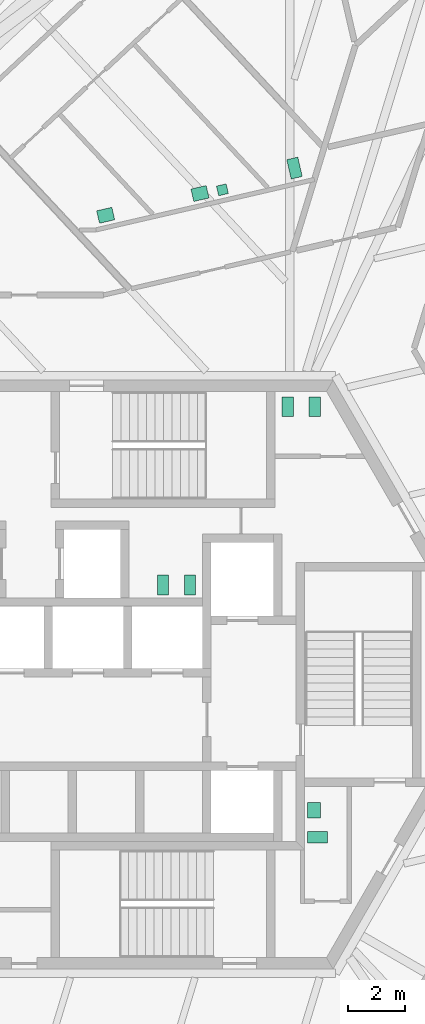
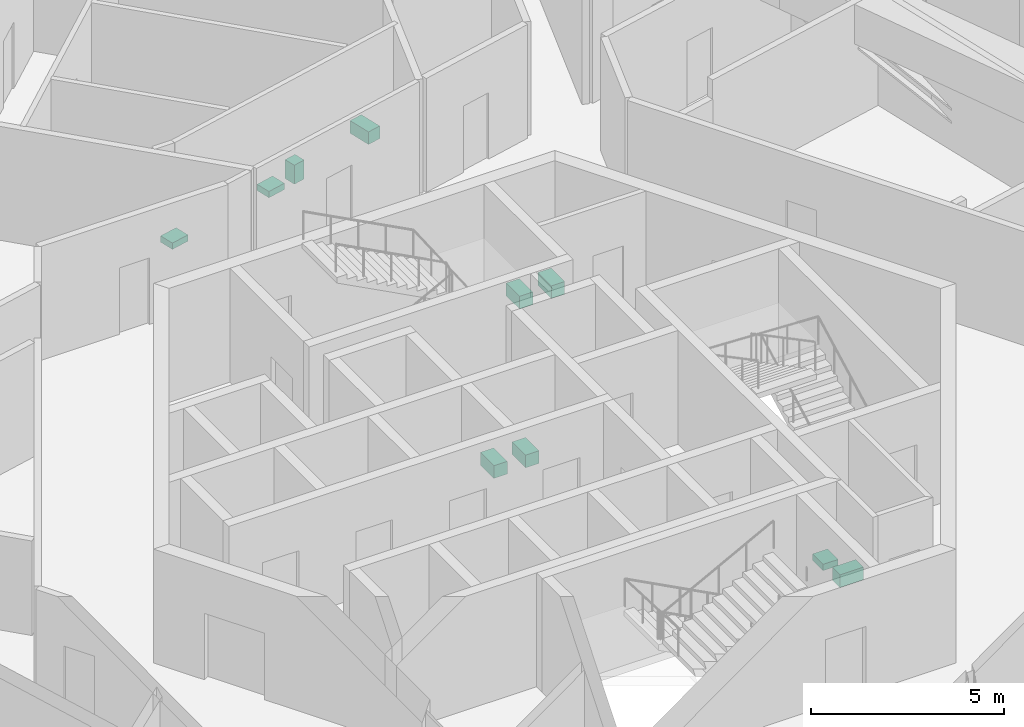
# One storey, part 31 of 31: 10 sanitary terminals.
"""IFC4 building model written with IfcOpenShell, lengths in metres."""

import ifcopenshell
import ifcopenshell.guid

model = None  # the IFC model being written
_history = None  # IfcOwnerHistory: only IFC2X3 demands one
_inside = {}  # id of a spatial element -> (the spatial element, [elements in it])
_under = {}  # id of a project, library or spatial element -> (it, [spatial elements below it])
_declared = {}  # id of a project -> (the project, [libraries it declares])
_typed = {}  # id of a type object -> (the type object, [elements of that type])
_made_of = {}  # id of a material, layer set ... -> (it, [elements and type objects made of it])


def new_model(schema):
    """Start an empty IFC model of exactly this schema.

    Asked for "IFC4X3", IfcOpenShell would pick the latest addendum, in which some entities
    have other attributes; the version numbers below select the first issue.
    IFC2X3 requires an IfcOwnerHistory on every rooted entity: one is made here for all.
    """
    global model, _history
    if schema == "IFC4X3":
        model = ifcopenshell.file(schema_version=(4, 3, 0, 0))
    else:
        model = ifcopenshell.file(schema=schema)
    _inside.clear()
    _under.clear()
    _declared.clear()
    _typed.clear()
    _made_of.clear()
    _history = None
    if model.schema == "IFC2X3":
        org = make("IfcOrganization", Name="unknown")
        user = make(
            "IfcPersonAndOrganization",
            ThePerson=make("IfcPerson", FamilyName="unknown"),
            TheOrganization=org,
        )
        app = make(
            "IfcApplication",
            ApplicationDeveloper=org,
            Version="unknown",
            ApplicationFullName="unknown",
            ApplicationIdentifier="unknown",
        )
        _history = make(
            "IfcOwnerHistory",
            OwningUser=user,
            OwningApplication=app,
            ChangeAction="ADDED",
            CreationDate=0,
        )
    return model


def make(cls, **values):
    """One entity of the class cls with the attributes given. An attribute that is None is left unset."""
    return model.create_entity(
        cls, **{name: value for name, value in values.items() if value is not None}
    )


def rooted(cls, **values):
    """An entity with a GlobalId (a new one), such as an element, a storey or a relation."""
    return make(cls, GlobalId=ifcopenshell.guid.new(), OwnerHistory=_history, **values)


def si_unit(unit_type, name, prefix=None):
    """IfcSIUnit, for example si_unit("LENGTHUNIT", "METRE", prefix="MILLI")."""
    return make("IfcSIUnit", UnitType=unit_type, Prefix=prefix, Name=name)


def assignment(units):
    """IfcUnitAssignment: the units of a project."""
    return None if units is None else make("IfcUnitAssignment", Units=units)


def point(xyz):
    """IfcCartesianPoint."""
    return None if xyz is None else make("IfcCartesianPoint", Coordinates=xyz)


def direction(xyz):
    """IfcDirection."""
    return None if xyz is None else make("IfcDirection", DirectionRatios=xyz)


def frame(location, z_axis=None, x_axis=None):
    """IfcAxis2Placement3D, a coordinate frame: its origin and axes. An axis left out is left unset."""
    return make(
        "IfcAxis2Placement3D",
        Location=point(location),
        Axis=direction(z_axis),
        RefDirection=direction(x_axis),
    )


def frame_2d(location, x_axis=None):
    """IfcAxis2Placement2D, a coordinate frame in the plane: its origin and x axis."""
    return make(
        "IfcAxis2Placement2D", Location=point(location), RefDirection=direction(x_axis)
    )


def origin():
    """The frame at (0, 0, 0) with its axes left unset."""
    return frame((0.0, 0.0, 0.0))


def origin_2d():
    """The frame at (0, 0) in the plane with its x axis left unset."""
    return frame_2d((0.0, 0.0))


def place(relative_to, where):
    """IfcLocalPlacement: puts the frame where relative to a parent placement (None: the world)."""
    return make(
        "IfcLocalPlacement", PlacementRelTo=relative_to, RelativePlacement=where
    )


def context(
    kind, dimensions, precision=None, world=None, true_north=None, identifier=None
):
    """IfcGeometricRepresentationContext, for example the 3D "Model" context."""
    return make(
        "IfcGeometricRepresentationContext",
        ContextIdentifier=identifier,
        ContextType=kind,
        CoordinateSpaceDimension=dimensions,
        Precision=precision,
        WorldCoordinateSystem=world,
        TrueNorth=true_north,
    )


def subcontext(parent, identifier, kind, view, scale=None):
    """IfcGeometricRepresentationSubContext, for example "Body" below "Model"."""
    return make(
        "IfcGeometricRepresentationSubContext",
        ContextIdentifier=identifier,
        ContextType=kind,
        ParentContext=parent,
        TargetScale=scale,
        TargetView=view,
    )


def project(units=None, contexts=None):
    """IfcProject with its units and contexts."""
    return rooted(
        "IfcProject",
        Name="project",
        RepresentationContexts=contexts,
        UnitsInContext=assignment(units),
    )


def spatial(cls, under=None, at=None, **own):
    """A site, building, storey or space (cls), placed at a placement, below another one or the project."""
    s = rooted(cls, ObjectPlacement=at, **own)
    if under is not None:
        _under.setdefault(under.id(), (under, []))[1].append(s)
    return s


def profile(cls, at=None, kind="AREA", **sizes):
    """A parametric profile (cls). Its sizes go by their IFC names, for example OverallWidth=200.0."""
    return make(cls, ProfileType=kind, Position=at, **sizes)


def rectangle(**sizes):
    """IfcRectangleProfileDef."""
    return profile("IfcRectangleProfileDef", **sizes)


def extrude(swept, where, along, depth):
    """IfcExtrudedAreaSolid: the profile swept, set in the frame where, extruded along a direction by depth."""
    return make(
        "IfcExtrudedAreaSolid",
        SweptArea=swept,
        Position=where,
        ExtrudedDirection=direction(along),
        Depth=depth,
    )


def shape(context_of_items, identifier, shape_type, items):
    """IfcShapeRepresentation: the items that make up one representation, for example the "Body"."""
    return make(
        "IfcShapeRepresentation",
        ContextOfItems=context_of_items,
        RepresentationIdentifier=identifier,
        RepresentationType=shape_type,
        Items=items,
    )


def source(mapping_origin, context_of_items, identifier, shape_type, items):
    """IfcRepresentationMap: a shape defined once, which mapped items show again and again."""
    return make(
        "IfcRepresentationMap",
        MappingOrigin=mapping_origin,
        MappedRepresentation=shape(context_of_items, identifier, shape_type, items),
    )


def transform(
    local_origin,
    x_axis=None,
    y_axis=None,
    z_axis=None,
    scale=None,
    scale2=None,
    scale3=None,
    uniform=True,
):
    """IfcCartesianTransformationOperator3D, or its non-uniform kind. x_axis, y_axis, z_axis: its Axis1, 2, 3."""
    if uniform:
        return make(
            "IfcCartesianTransformationOperator3D",
            Axis1=direction(x_axis),
            Axis2=direction(y_axis),
            LocalOrigin=point(local_origin),
            Scale=scale,
            Axis3=direction(z_axis),
        )
    return make(
        "IfcCartesianTransformationOperator3DnonUniform",
        Axis1=direction(x_axis),
        Axis2=direction(y_axis),
        LocalOrigin=point(local_origin),
        Scale=scale,
        Axis3=direction(z_axis),
        Scale2=scale2,
        Scale3=scale3,
    )


def mapped(mapping_source, mapping_target):
    """IfcMappedItem: shows the shape of a source again, moved by a transform."""
    return make(
        "IfcMappedItem", MappingSource=mapping_source, MappingTarget=mapping_target
    )


def material(Name=None, Category=None):
    """IfcMaterial."""
    return make("IfcMaterial", Name=Name, Category=Category)


def made_of(thing, what):
    """Note that an element or type object is made of a material, layer set ...; save() writes the relation."""
    if what is not None:
        _made_of.setdefault(what.id(), (what, []))[1].append(thing)
    return thing


def element(
    cls,
    number,
    at=None,
    inside=None,
    cuts=None,
    type_object=None,
    material=None,
    context=None,
    identifier="Body",
    shape_type=None,
    held_by="IfcProductDefinitionShape",
    body=None,
    shapes=None,
    **own,
):
    """One element of the class cls, such as IfcWall. Its Tag is "e" and its number.

    at: its placement. inside: the storey or other place that contains it. cuts: it is an
    opening in that element (IfcRelVoidsElement). A single representation is given by context,
    identifier, shape_type and body (its items); several are given by shapes. held_by: the class
    of the entity that holds the representations. save() writes the other relations.
    """
    e = rooted(cls, Tag="e%d" % number, ObjectPlacement=at, **own)
    if body is not None:
        shapes = [shape(context, identifier, shape_type, body)]
    if shapes is not None:
        e.Representation = make(held_by, Representations=shapes)
    if inside is not None:
        _inside.setdefault(inside.id(), (inside, []))[1].append(e)
    if cuts is not None:
        rooted(
            "IfcRelVoidsElement", RelatingBuildingElement=cuts, RelatedOpeningElement=e
        )
    if type_object is not None:
        _typed.setdefault(type_object.id(), (type_object, []))[1].append(e)
    return made_of(e, material)


def aggregate(whole, parts):
    """IfcRelAggregates: a whole, such as a stair, and the parts it consists of."""
    return rooted("IfcRelAggregates", RelatingObject=whole, RelatedObjects=parts)


def save(model, path):
    """Write the relations noted so far, then the file.

    IfcRelAggregates (storeys below a building ...), IfcRelContainedInSpatialStructure (elements
    in a storey), IfcRelDefinesByType, IfcRelAssociatesMaterial and IfcRelDeclares: one each for
    every whole, place, type object, material and project.
    """
    for whole, parts in _under.values():
        aggregate(whole, parts)
    for where, things in _inside.values():
        rooted(
            "IfcRelContainedInSpatialStructure",
            RelatedElements=things,
            RelatingStructure=where,
        )
    for kind, things in _typed.values():
        rooted("IfcRelDefinesByType", RelatedObjects=things, RelatingType=kind)
    for what, things in _made_of.values():
        rooted("IfcRelAssociatesMaterial", RelatedObjects=things, RelatingMaterial=what)
    for by, libraries in _declared.values():
        rooted("IfcRelDeclares", RelatingContext=by, RelatedDefinitions=libraries)
    model.write(path)


model = new_model("IFC4")

# Units and contexts
model_context = context("Model", 3, precision=1e-05, world=origin(), true_north=direction((0.0, 1.0)))
body_context = subcontext(model_context, "Body", "Model", "MODEL_VIEW")
ifc_project = project(units=[si_unit("LENGTHUNIT", "METRE"), si_unit("AREAUNIT", "SQUARE_METRE"), si_unit("VOLUMEUNIT", "CUBIC_METRE"), si_unit("PLANEANGLEUNIT", "RADIAN"), si_unit("MASSUNIT", "GRAM", prefix="KILO")], contexts=[model_context])

# Site, building, storey
site_placement = place(None, origin())
site = spatial("IfcSite", under=ifc_project, at=site_placement, CompositionType="ELEMENT")
building_placement = place(site_placement, origin())
building = spatial("IfcBuilding", under=site, at=building_placement, Name="Triune Harvest Tower", CompositionType="ELEMENT")
storey_placement = place(building_placement, frame((0.0, 0.0, 134.300048828125)))
storey = spatial("IfcBuildingStorey", under=building, at=storey_placement, Name="L34", CompositionType="ELEMENT", Elevation=134.300048828125)

# Sanitary terminals
ifc_material = material(Name="Vitreous china")
shared_shape_1 = source(origin(), body_context, "Body", "SweptSolid", [
    extrude(rectangle(XDim=0.39990234375, YDim=0.699951171875, at=origin_2d()), origin(), (0.0, 0.0, 1.0), 0.39990234375),
])
for number, where, z_axis, x_axis, name in (
    (1, (4.39990234375, 9.449951171875, 0.0), (0.0, 0.0, 1.0), (1.0, 0.0, 0.0), "Toilet pan L34.c01"),
    (2, (5.35009765625, 9.449951171875, 0.0), (0.0, 0.0, 1.0), (1.0, 0.0, 0.0), "Toilet pan L34.c02"),
    (3, (0.949951171875, 3.159912109375, 0.0), (0.0, 0.0, 1.0), (-1.0, 0.0, 0.0), "Toilet pan L34.c03"),
    (4, (0.0, 3.159912109375, 0.0), (0.0, 0.0, 1.0), (-1.0, 0.0, 0.0), "Toilet pan L34.c04"),
    (5, (5.449951171875, -5.739990234375, 0.0), (0.0, 0.0, 1.0), (0.0, 1.0, 0.0), "Toilet pan L34.c05"),
    (6, (4.6396484375, 17.873291015625, 0.0), (0.0, 0.0, 1.0), (-0.974377916465, -0.224917042275, 0.0), "Toilet pan 01"),
):
    element("IfcSanitaryTerminal", number, at=place(storey_placement, frame(where, z_axis=z_axis, x_axis=x_axis)), inside=storey, material=ifc_material, Name=name, PredefinedType="TOILETPAN", context=body_context, shape_type="MappedRepresentation", body=[
        mapped(shared_shape_1, transform((0.0, 0.0, 0.0), scale=1.0)),
    ])
shared_shape_2 = source(origin(), body_context, "Body", "SweptSolid", [
    extrude(rectangle(XDim=0.35009765625, YDim=0.35009765625, at=origin_2d()), origin(), (0.0, 0.0, 1.0), 0.60009765625),
])
sanitary_terminal_placement = place(storey_placement, frame((2.095703125, 17.1064453125, 0.0), z_axis=(0.0, 0.0, 1.0), x_axis=(-0.9743661385, -0.224968060275, 0.0)))
element("IfcSanitaryTerminal", 7, at=sanitary_terminal_placement, inside=storey, material=ifc_material, Name="Urinal 02", PredefinedType="URINAL", context=body_context, shape_type="MappedRepresentation", body=[
    mapped(shared_shape_2, transform((0.0, 0.0, 0.0), scale=1.0)),
])
shared_shape_3 = source(origin(), body_context, "Body", "SweptSolid", [
    extrude(rectangle(XDim=0.550048828125, YDim=0.449951171875, at=origin_2d()), origin(), (0.0, 0.0, 1.0), 0.199951171875),
])
for number, where, z_axis, x_axis, name in (
    (8, (5.324951171875, -4.7900390625, 0.0), (0.0, 0.0, 1.0), (0.0, 1.0, 0.0), "Wash basin L34.c06"),
    (9, (1.3046875, 16.97509765625, 0.0), (0.0, 0.0, 1.0), (-0.9743661385, -0.224968060275, 0.0), "Wash basin 03"),
    (10, (-2.024658203125, 16.20654296875, 0.0), (0.0, 0.0, 1.0), (-0.9743661385, -0.224968060275, 0.0), "Wash basin 04"),
):
    element("IfcSanitaryTerminal", number, at=place(storey_placement, frame(where, z_axis=z_axis, x_axis=x_axis)), inside=storey, material=ifc_material, Name=name, PredefinedType="WASHHANDBASIN", context=body_context, shape_type="MappedRepresentation", body=[
        mapped(shared_shape_3, transform((0.0, 0.0, 0.0), scale=1.0)),
    ])

save(model, "model.ifc")
